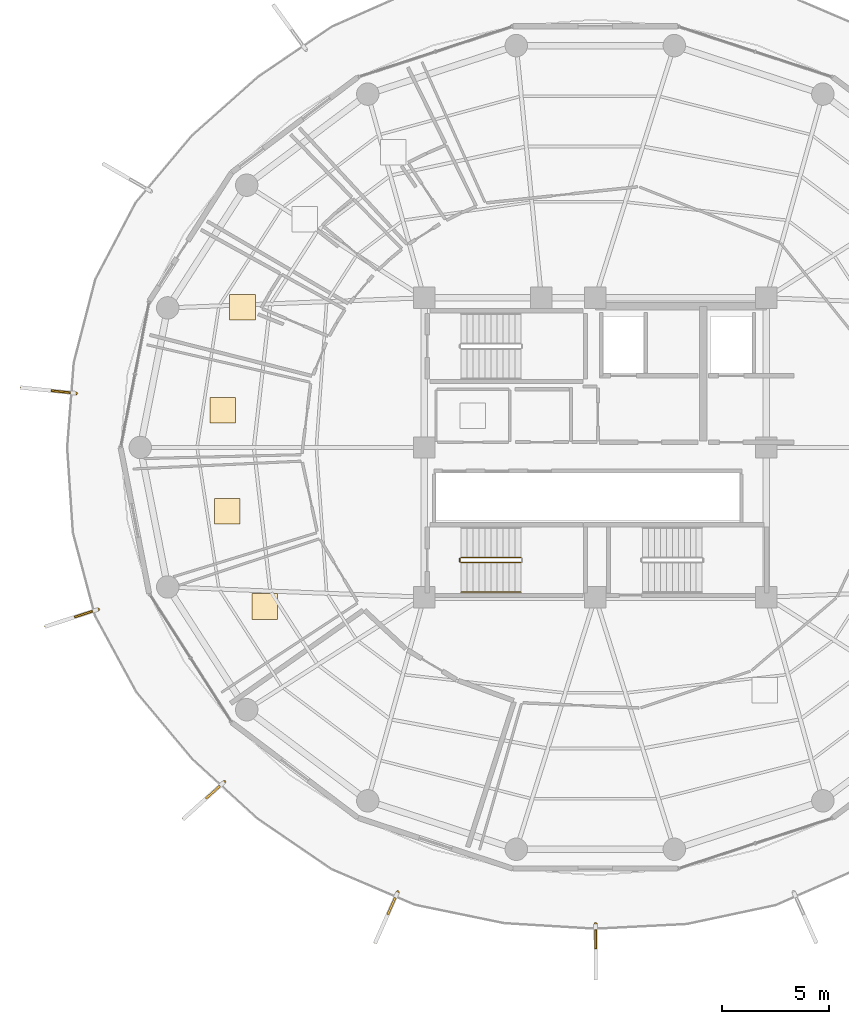
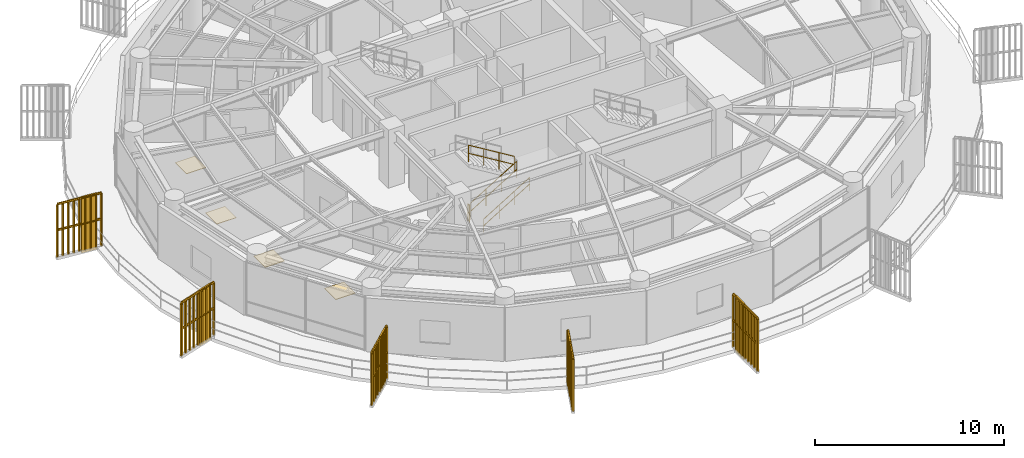
# One storey, part 28 of 31: 9 railings, 5 shading devices, 4 coverings.
"""IFC4 building model written with IfcOpenShell, lengths in metres."""

from ifc_helpers import new_model, si_unit, direction, frame, origin, origin_2d, place, context, subcontext, project, spatial, polyline, rectangle, outline, extrude, source, transform, mapped, material, layer, layer_set, type_object, element, save


model = new_model("IFC4")

# Units and contexts
model_context = context("Model", 3, precision=1e-05, world=origin(), true_north=direction((0.0, 1.0)))
body_context = subcontext(model_context, "Body", "Model", "MODEL_VIEW")
ifc_project = project(units=[si_unit("LENGTHUNIT", "METRE"), si_unit("AREAUNIT", "SQUARE_METRE"), si_unit("VOLUMEUNIT", "CUBIC_METRE"), si_unit("PLANEANGLEUNIT", "RADIAN"), si_unit("MASSUNIT", "GRAM", prefix="KILO")], contexts=[model_context])

# Site, building, storey
site_placement = place(None, origin())
site = spatial("IfcSite", under=ifc_project, at=site_placement, CompositionType="ELEMENT")
building_placement = place(site_placement, origin())
building = spatial("IfcBuilding", under=site, at=building_placement, Name="Kelanora Arch Commons", CompositionType="ELEMENT")
storey_placement = place(building_placement, frame((0.0, 0.0, 226.949951171875)))
storey = spatial("IfcBuildingStorey", under=building, at=storey_placement, Name="L58", CompositionType="ELEMENT", Elevation=226.949951171875)

# Railings
ifc_material_1 = material(Name="Anodised bronze vertical shading fin rib assembly")
railing_type_1 = type_object("IfcRailingType", Name="RAIL-FIN-BRZ", PredefinedType="BALUSTRADE", material=ifc_material_1)
railing_1_placement = place(storey_placement, frame((49.71875, 60.5341796875, -0.02001953125)))
element("IfcRailing", 1, at=railing_1_placement, inside=storey, type_object=railing_type_1, Name="Sweeping Bronze Vertical Fin Blade L58-09", PredefinedType="BALUSTRADE", context=body_context, shape_type="SweptSolid", body=[
    extrude(outline(polyline([(0.06982421875, 0.0), (0.034912109375, 0.060546875), (-0.034912109375, 0.060546875), (-0.06982421875, 0.0), (-0.034912109375, -0.060546875), (0.034912109375, -0.060546875), (0.06982421875, 0.0)])), frame((0.0, 0.0, 3.419921875), z_axis=(-0.994603426469, 0.103749814729, 0.0), x_axis=(-0.103749814729, -0.994603426469, 0.0)), (0.0, 0.0, 1.0), 2.555419921875),
    extrude(outline(polyline([(0.06982421875, 0.0), (0.034912109375, 0.060546875), (-0.034912109375, 0.060546875), (-0.06982421875, 0.0), (-0.034912109375, -0.060546875), (0.034912109375, -0.060546875), (0.06982421875, 0.0)])), frame((0.0, 0.0, 1.7451171875), z_axis=(-0.994603426469, 0.103749814729, 0.0), x_axis=(-0.103749814729, -0.994603426469, 0.0)), (0.0, 0.0, 1.0), 2.555419921875),
    extrude(outline(polyline([(0.080078125, 0.0), (0.0400390625, 0.0693359375), (-0.0400390625, 0.0693359375), (-0.080078125, 0.0), (-0.0400390625, -0.0693359375), (0.0400390625, -0.0693359375), (0.080078125, 0.0)])), origin(), (0.0, 0.0, 1.0), 3.35009765625),
    extrude(outline(polyline([(0.080078125, 0.0), (0.0400390625, 0.0693359375), (-0.0400390625, 0.0693359375), (-0.080078125, 0.0), (-0.0400390625, -0.0693359375), (0.0400390625, -0.0693359375), (0.080078125, 0.0)])), frame((-0.317626953125, 0.033203125, 0.0)), (0.0, 0.0, 1.0), 3.35009765625),
    extrude(outline(polyline([(0.080078125, 0.0), (0.0400390625, 0.0693359375), (-0.0400390625, 0.0693359375), (-0.080078125, 0.0), (-0.0400390625, -0.0693359375), (0.0400390625, -0.0693359375), (0.080078125, 0.0)])), frame((-0.635498046875, 0.06640625, 0.0)), (0.0, 0.0, 1.0), 3.35009765625),
    extrude(outline(polyline([(0.080078125, 0.0), (0.0400390625, 0.0693359375), (-0.0400390625, 0.0693359375), (-0.080078125, 0.0), (-0.0400390625, -0.0693359375), (0.0400390625, -0.0693359375), (0.080078125, 0.0)])), frame((-0.953125, 0.099365234375, 0.0)), (0.0, 0.0, 1.0), 3.35009765625),
    extrude(outline(polyline([(0.080078125, 0.0), (0.0400390625, 0.0693359375), (-0.0400390625, 0.0693359375), (-0.080078125, 0.0), (-0.0400390625, -0.0693359375), (0.0400390625, -0.0693359375), (0.080078125, 0.0)])), frame((-1.27099609375, 0.132568359375, 0.0)), (0.0, 0.0, 1.0), 3.35009765625),
    extrude(outline(polyline([(0.080078125, 0.0), (0.0400390625, 0.0693359375), (-0.0400390625, 0.0693359375), (-0.080078125, 0.0), (-0.0400390625, -0.0693359375), (0.0400390625, -0.0693359375), (0.080078125, 0.0)])), frame((-1.588623046875, 0.165771484375, 0.0)), (0.0, 0.0, 1.0), 3.35009765625),
    extrude(outline(polyline([(0.080078125, 0.0), (0.0400390625, 0.0693359375), (-0.0400390625, 0.0693359375), (-0.080078125, 0.0), (-0.0400390625, -0.0693359375), (0.0400390625, -0.0693359375), (0.080078125, 0.0)])), frame((-1.90625, 0.19873046875, 0.0)), (0.0, 0.0, 1.0), 3.35009765625),
    extrude(outline(polyline([(0.080078125, 0.0), (0.0400390625, 0.0693359375), (-0.0400390625, 0.0693359375), (-0.080078125, 0.0), (-0.0400390625, -0.0693359375), (0.0400390625, -0.0693359375), (0.080078125, 0.0)])), frame((-2.22412109375, 0.23193359375, 0.0)), (0.0, 0.0, 1.0), 3.35009765625),
    extrude(outline(polyline([(0.080078125, 0.0), (0.0400390625, 0.0693359375), (-0.0400390625, 0.0693359375), (-0.080078125, 0.0), (-0.0400390625, -0.0693359375), (0.0400390625, -0.0693359375), (0.080078125, 0.0)])), frame((-2.541748046875, 0.26513671875, 0.0)), (0.0, 0.0, 1.0), 3.35009765625),
])
railing_2_placement = place(storey_placement, frame((50.752685546875, 50.427490234375, -0.02001953125)))
element("IfcRailing", 2, at=railing_2_placement, inside=storey, type_object=railing_type_1, Name="Sweeping Bronze Vertical Fin Blade L58-10", PredefinedType="BALUSTRADE", context=body_context, shape_type="SweptSolid", body=[
    extrude(outline(polyline([(0.06982421875, 0.0), (0.034912109375, 0.060546875), (-0.034912109375, 0.060546875), (-0.06982421875, 0.0), (-0.034912109375, -0.060546875), (0.034912109375, -0.060546875), (0.06982421875, 0.0)])), frame((0.0, 0.0, 3.419921875), z_axis=(-0.950829566252, -0.309714604018, 0.0), x_axis=(0.309714604018, -0.950829566252, 0.0)), (0.0, 0.0, 1.0), 2.5556640625),
    extrude(outline(polyline([(0.06982421875, 0.0), (0.034912109375, 0.060546875), (-0.034912109375, 0.060546875), (-0.06982421875, 0.0), (-0.034912109375, -0.060546875), (0.034912109375, -0.060546875), (0.06982421875, 0.0)])), frame((0.0, 0.0, 1.7451171875), z_axis=(-0.950829566252, -0.309714604018, 0.0), x_axis=(0.309714604018, -0.950829566252, 0.0)), (0.0, 0.0, 1.0), 2.5556640625),
    extrude(outline(polyline([(0.080078125, 0.0), (0.0400390625, 0.0693359375), (-0.0400390625, 0.0693359375), (-0.080078125, 0.0), (-0.0400390625, -0.0693359375), (0.0400390625, -0.0693359375), (0.080078125, 0.0)])), origin(), (0.0, 0.0, 1.0), 3.35009765625),
    extrude(outline(polyline([(0.080078125, 0.0), (0.0400390625, 0.0693359375), (-0.0400390625, 0.0693359375), (-0.080078125, 0.0), (-0.0400390625, -0.0693359375), (0.0400390625, -0.0693359375), (0.080078125, 0.0)])), frame((-0.3037109375, -0.098876953125, 0.0)), (0.0, 0.0, 1.0), 3.35009765625),
    extrude(outline(polyline([(0.080078125, 0.0), (0.0400390625, 0.0693359375), (-0.0400390625, 0.0693359375), (-0.080078125, 0.0), (-0.0400390625, -0.0693359375), (0.0400390625, -0.0693359375), (0.080078125, 0.0)])), frame((-0.607421875, -0.19775390625, 0.0)), (0.0, 0.0, 1.0), 3.35009765625),
    extrude(outline(polyline([(0.080078125, 0.0), (0.0400390625, 0.0693359375), (-0.0400390625, 0.0693359375), (-0.080078125, 0.0), (-0.0400390625, -0.0693359375), (0.0400390625, -0.0693359375), (0.080078125, 0.0)])), frame((-0.9111328125, -0.296875, 0.0)), (0.0, 0.0, 1.0), 3.35009765625),
    extrude(outline(polyline([(0.080078125, 0.0), (0.0400390625, 0.0693359375), (-0.0400390625, 0.0693359375), (-0.080078125, 0.0), (-0.0400390625, -0.0693359375), (0.0400390625, -0.0693359375), (0.080078125, 0.0)])), frame((-1.21484375, -0.395751953125, 0.0)), (0.0, 0.0, 1.0), 3.35009765625),
    extrude(outline(polyline([(0.080078125, 0.0), (0.0400390625, 0.0693359375), (-0.0400390625, 0.0693359375), (-0.080078125, 0.0), (-0.0400390625, -0.0693359375), (0.0400390625, -0.0693359375), (0.080078125, 0.0)])), frame((-1.518798828125, -0.49462890625, 0.0)), (0.0, 0.0, 1.0), 3.35009765625),
    extrude(outline(polyline([(0.080078125, 0.0), (0.0400390625, 0.0693359375), (-0.0400390625, 0.0693359375), (-0.080078125, 0.0), (-0.0400390625, -0.0693359375), (0.0400390625, -0.0693359375), (0.080078125, 0.0)])), frame((-1.822509765625, -0.59375, 0.0)), (0.0, 0.0, 1.0), 3.35009765625),
    extrude(outline(polyline([(0.080078125, 0.0), (0.0400390625, 0.0693359375), (-0.0400390625, 0.0693359375), (-0.080078125, 0.0), (-0.0400390625, -0.0693359375), (0.0400390625, -0.0693359375), (0.080078125, 0.0)])), frame((-2.126220703125, -0.692626953125, 0.0)), (0.0, 0.0, 1.0), 3.35009765625),
    extrude(outline(polyline([(0.080078125, 0.0), (0.0400390625, 0.0693359375), (-0.0400390625, 0.0693359375), (-0.080078125, 0.0), (-0.0400390625, -0.0693359375), (0.0400390625, -0.0693359375), (0.080078125, 0.0)])), frame((-2.429931640625, -0.79150390625, 0.0)), (0.0, 0.0, 1.0), 3.35009765625),
])
railing_3_placement = place(storey_placement, frame((56.654296875, 42.35888671875, -0.02001953125)))
element("IfcRailing", 3, at=railing_3_placement, inside=storey, type_object=railing_type_1, Name="Sweeping Bronze Vertical Fin Blade L58-11", PredefinedType="BALUSTRADE", context=body_context, shape_type="SweptSolid", body=[
    extrude(outline(polyline([(0.06982421875, 0.0), (0.034912109375, 0.060546875), (-0.034912109375, 0.060546875), (-0.06982421875, 0.0), (-0.034912109375, -0.060546875), (0.034912109375, -0.060546875), (0.06982421875, 0.0)])), frame((0.0, 0.0, 3.419921875), z_axis=(-0.742614442544, -0.669719187216, 0.0), x_axis=(0.669719187216, -0.742614442544, 0.0)), (0.0, 0.0, 1.0), 2.555419921875),
    extrude(outline(polyline([(0.06982421875, 0.0), (0.034912109375, 0.060546875), (-0.034912109375, 0.060546875), (-0.06982421875, 0.0), (-0.034912109375, -0.060546875), (0.034912109375, -0.060546875), (0.06982421875, 0.0)])), frame((0.0, 0.0, 1.7451171875), z_axis=(-0.742614442544, -0.669719187216, 0.0), x_axis=(0.669719187216, -0.742614442544, 0.0)), (0.0, 0.0, 1.0), 2.555419921875),
    extrude(outline(polyline([(0.080078125, 0.0), (0.0400390625, 0.0693359375), (-0.0400390625, 0.0693359375), (-0.080078125, 0.0), (-0.0400390625, -0.0693359375), (0.0400390625, -0.0693359375), (0.080078125, 0.0)])), origin(), (0.0, 0.0, 1.0), 3.35009765625),
    extrude(outline(polyline([(0.080078125, 0.0), (0.0400390625, 0.0693359375), (-0.0400390625, 0.0693359375), (-0.080078125, 0.0), (-0.0400390625, -0.0693359375), (0.0400390625, -0.0693359375), (0.080078125, 0.0)])), frame((-0.2373046875, -0.2138671875, 0.0)), (0.0, 0.0, 1.0), 3.35009765625),
    extrude(outline(polyline([(0.080078125, 0.0), (0.0400390625, 0.0693359375), (-0.0400390625, 0.0693359375), (-0.080078125, 0.0), (-0.0400390625, -0.0693359375), (0.0400390625, -0.0693359375), (0.080078125, 0.0)])), frame((-0.474365234375, -0.427734375, 0.0)), (0.0, 0.0, 1.0), 3.35009765625),
    extrude(outline(polyline([(0.080078125, 0.0), (0.0400390625, 0.0693359375), (-0.0400390625, 0.0693359375), (-0.080078125, 0.0), (-0.0400390625, -0.0693359375), (0.0400390625, -0.0693359375), (0.080078125, 0.0)])), frame((-0.711669921875, -0.641845703125, 0.0)), (0.0, 0.0, 1.0), 3.35009765625),
    extrude(outline(polyline([(0.080078125, 0.0), (0.0400390625, 0.0693359375), (-0.0400390625, 0.0693359375), (-0.080078125, 0.0), (-0.0400390625, -0.0693359375), (0.0400390625, -0.0693359375), (0.080078125, 0.0)])), frame((-0.94873046875, -0.855712890625, 0.0)), (0.0, 0.0, 1.0), 3.35009765625),
    extrude(outline(polyline([(0.080078125, 0.0), (0.0400390625, 0.0693359375), (-0.0400390625, 0.0693359375), (-0.080078125, 0.0), (-0.0400390625, -0.0693359375), (0.0400390625, -0.0693359375), (0.080078125, 0.0)])), frame((-1.18603515625, -1.069580078125, 0.0)), (0.0, 0.0, 1.0), 3.35009765625),
    extrude(outline(polyline([(0.080078125, 0.0), (0.0400390625, 0.0693359375), (-0.0400390625, 0.0693359375), (-0.080078125, 0.0), (-0.0400390625, -0.0693359375), (0.0400390625, -0.0693359375), (0.080078125, 0.0)])), frame((-1.42333984375, -1.28369140625, 0.0)), (0.0, 0.0, 1.0), 3.35009765625),
    extrude(outline(polyline([(0.080078125, 0.0), (0.0400390625, 0.0693359375), (-0.0400390625, 0.0693359375), (-0.080078125, 0.0), (-0.0400390625, -0.0693359375), (0.0400390625, -0.0693359375), (0.080078125, 0.0)])), frame((-1.660400390625, -1.49755859375, 0.0)), (0.0, 0.0, 1.0), 3.35009765625),
    extrude(outline(polyline([(0.080078125, 0.0), (0.0400390625, 0.0693359375), (-0.0400390625, 0.0693359375), (-0.080078125, 0.0), (-0.0400390625, -0.0693359375), (0.0400390625, -0.0693359375), (0.080078125, 0.0)])), frame((-1.897705078125, -1.71142578125, 0.0)), (0.0, 0.0, 1.0), 3.35009765625),
])
railing_4_placement = place(storey_placement, frame((64.758544921875, 37.202392578125, -0.02001953125)))
element("IfcRailing", 4, at=railing_4_placement, inside=storey, type_object=railing_type_1, Name="Sweeping Bronze Vertical Fin Blade L58-12", PredefinedType="BALUSTRADE", context=body_context, shape_type="SweptSolid", body=[
    extrude(outline(polyline([(0.06982421875, 0.0), (0.034912109375, 0.060546875), (-0.034912109375, 0.060546875), (-0.06982421875, 0.0), (-0.034912109375, -0.060546875), (0.034912109375, -0.060546875), (0.06982421875, 0.0)])), frame((0.0, 0.0, 3.419921875), z_axis=(-0.40604981773, -0.913850942726, 0.0), x_axis=(0.913850942726, -0.40604981773, 0.0)), (0.0, 0.0, 1.0), 2.555419921875),
    extrude(outline(polyline([(0.06982421875, 0.0), (0.034912109375, 0.060546875), (-0.034912109375, 0.060546875), (-0.06982421875, 0.0), (-0.034912109375, -0.060546875), (0.034912109375, -0.060546875), (0.06982421875, 0.0)])), frame((0.0, 0.0, 1.7451171875), z_axis=(-0.40604981773, -0.913850942726, 0.0), x_axis=(0.913850942726, -0.40604981773, 0.0)), (0.0, 0.0, 1.0), 2.555419921875),
    extrude(outline(polyline([(0.080078125, 0.0), (0.0400390625, 0.0693359375), (-0.0400390625, 0.0693359375), (-0.080078125, 0.0), (-0.0400390625, -0.0693359375), (0.0400390625, -0.0693359375), (0.080078125, 0.0)])), origin(), (0.0, 0.0, 1.0), 3.35009765625),
    extrude(outline(polyline([(0.080078125, 0.0), (0.0400390625, 0.0693359375), (-0.0400390625, 0.0693359375), (-0.080078125, 0.0), (-0.0400390625, -0.0693359375), (0.0400390625, -0.0693359375), (0.080078125, 0.0)])), frame((-0.129638671875, -0.2919921875, 0.0)), (0.0, 0.0, 1.0), 3.35009765625),
    extrude(outline(polyline([(0.080078125, 0.0), (0.0400390625, 0.0693359375), (-0.0400390625, 0.0693359375), (-0.080078125, 0.0), (-0.0400390625, -0.0693359375), (0.0400390625, -0.0693359375), (0.080078125, 0.0)])), frame((-0.25927734375, -0.583740234375, 0.0)), (0.0, 0.0, 1.0), 3.35009765625),
    extrude(outline(polyline([(0.080078125, 0.0), (0.0400390625, 0.0693359375), (-0.0400390625, 0.0693359375), (-0.080078125, 0.0), (-0.0400390625, -0.0693359375), (0.0400390625, -0.0693359375), (0.080078125, 0.0)])), frame((-0.38916015625, -0.875732421875, 0.0)), (0.0, 0.0, 1.0), 3.35009765625),
    extrude(outline(polyline([(0.080078125, 0.0), (0.0400390625, 0.0693359375), (-0.0400390625, 0.0693359375), (-0.080078125, 0.0), (-0.0400390625, -0.0693359375), (0.0400390625, -0.0693359375), (0.080078125, 0.0)])), frame((-0.518798828125, -1.16748046875, 0.0)), (0.0, 0.0, 1.0), 3.35009765625),
    extrude(outline(polyline([(0.080078125, 0.0), (0.0400390625, 0.0693359375), (-0.0400390625, 0.0693359375), (-0.080078125, 0.0), (-0.0400390625, -0.0693359375), (0.0400390625, -0.0693359375), (0.080078125, 0.0)])), frame((-0.6484375, -1.45947265625, 0.0)), (0.0, 0.0, 1.0), 3.35009765625),
    extrude(outline(polyline([(0.080078125, 0.0), (0.0400390625, 0.0693359375), (-0.0400390625, 0.0693359375), (-0.080078125, 0.0), (-0.0400390625, -0.0693359375), (0.0400390625, -0.0693359375), (0.080078125, 0.0)])), frame((-0.7783203125, -1.75146484375, 0.0)), (0.0, 0.0, 1.0), 3.35009765625),
    extrude(outline(polyline([(0.080078125, 0.0), (0.0400390625, 0.0693359375), (-0.0400390625, 0.0693359375), (-0.080078125, 0.0), (-0.0400390625, -0.0693359375), (0.0400390625, -0.0693359375), (0.080078125, 0.0)])), frame((-0.907958984375, -2.043212890625, 0.0)), (0.0, 0.0, 1.0), 3.35009765625),
    extrude(outline(polyline([(0.080078125, 0.0), (0.0400390625, 0.0693359375), (-0.0400390625, 0.0693359375), (-0.080078125, 0.0), (-0.0400390625, -0.0693359375), (0.0400390625, -0.0693359375), (0.080078125, 0.0)])), frame((-1.03759765625, -2.335205078125, 0.0)), (0.0, 0.0, 1.0), 3.35009765625),
])
railing_5_placement = place(storey_placement, frame((74.016357421875, 35.721923828125, -0.02001953125)))
element("IfcRailing", 5, at=railing_5_placement, inside=storey, type_object=railing_type_1, Name="Sweeping Bronze Vertical Fin Blade L58-13", PredefinedType="BALUSTRADE", context=body_context, shape_type="SweptSolid", body=[
    extrude(outline(polyline([(0.06982421875, 0.0), (0.034912109375, 0.060546875), (-0.034912109375, 0.060546875), (-0.06982421875, 0.0), (-0.034912109375, -0.060546875), (0.034912109375, -0.060546875), (0.06982421875, 0.0)])), frame((0.0, 0.0, 3.419921875), z_axis=(0.000764306646, -0.999999707918, 0.0), x_axis=(0.999999707918, 0.000764306646, 0.0)), (0.0, 0.0, 1.0), 2.555419921875),
    extrude(outline(polyline([(0.06982421875, 0.0), (0.034912109375, 0.060546875), (-0.034912109375, 0.060546875), (-0.06982421875, 0.0), (-0.034912109375, -0.060546875), (0.034912109375, -0.060546875), (0.06982421875, 0.0)])), frame((0.0, 0.0, 1.7451171875), z_axis=(0.000764306646, -0.999999707918, 0.0), x_axis=(0.999999707918, 0.000764306646, 0.0)), (0.0, 0.0, 1.0), 2.555419921875),
    extrude(outline(polyline([(0.080078125, 0.0), (0.0400390625, 0.0693359375), (-0.0400390625, 0.0693359375), (-0.080078125, 0.0), (-0.0400390625, -0.0693359375), (0.0400390625, -0.0693359375), (0.080078125, 0.0)])), origin(), (0.0, 0.0, 1.0), 3.35009765625),
    extrude(outline(polyline([(0.080078125, 0.0), (0.0400390625, 0.0693359375), (-0.0400390625, 0.0693359375), (-0.080078125, 0.0), (-0.0400390625, -0.0693359375), (0.0400390625, -0.0693359375), (0.080078125, 0.0)])), frame((0.000244140625, -0.3193359375, 0.0)), (0.0, 0.0, 1.0), 3.35009765625),
    extrude(outline(polyline([(0.080078125, 0.0), (0.0400390625, 0.0693359375), (-0.0400390625, 0.0693359375), (-0.080078125, 0.0), (-0.0400390625, -0.0693359375), (0.0400390625, -0.0693359375), (0.080078125, 0.0)])), frame((0.00048828125, -0.638916015625, 0.0)), (0.0, 0.0, 1.0), 3.35009765625),
    extrude(outline(polyline([(0.080078125, 0.0), (0.0400390625, 0.0693359375), (-0.0400390625, 0.0693359375), (-0.080078125, 0.0), (-0.0400390625, -0.0693359375), (0.0400390625, -0.0693359375), (0.080078125, 0.0)])), frame((0.000732421875, -0.958251953125, 0.0)), (0.0, 0.0, 1.0), 3.35009765625),
    extrude(outline(polyline([(0.080078125, 0.0), (0.0400390625, 0.0693359375), (-0.0400390625, 0.0693359375), (-0.080078125, 0.0), (-0.0400390625, -0.0693359375), (0.0400390625, -0.0693359375), (0.080078125, 0.0)])), frame((0.0009765625, -1.27783203125, 0.0)), (0.0, 0.0, 1.0), 3.35009765625),
    extrude(outline(polyline([(0.080078125, 0.0), (0.0400390625, 0.0693359375), (-0.0400390625, 0.0693359375), (-0.080078125, 0.0), (-0.0400390625, -0.0693359375), (0.0400390625, -0.0693359375), (0.080078125, 0.0)])), frame((0.001220703125, -1.59716796875, 0.0)), (0.0, 0.0, 1.0), 3.35009765625),
    extrude(outline(polyline([(0.080078125, 0.0), (0.0400390625, 0.0693359375), (-0.0400390625, 0.0693359375), (-0.080078125, 0.0), (-0.0400390625, -0.0693359375), (0.0400390625, -0.0693359375), (0.080078125, 0.0)])), frame((0.00146484375, -1.91650390625, 0.0)), (0.0, 0.0, 1.0), 3.35009765625),
    extrude(outline(polyline([(0.080078125, 0.0), (0.0400390625, 0.0693359375), (-0.0400390625, 0.0693359375), (-0.080078125, 0.0), (-0.0400390625, -0.0693359375), (0.0400390625, -0.0693359375), (0.080078125, 0.0)])), frame((0.001708984375, -2.236083984375, 0.0)), (0.0, 0.0, 1.0), 3.35009765625),
    extrude(outline(polyline([(0.080078125, 0.0), (0.0400390625, 0.0693359375), (-0.0400390625, 0.0693359375), (-0.080078125, 0.0), (-0.0400390625, -0.0693359375), (0.0400390625, -0.0693359375), (0.080078125, 0.0)])), frame((0.001953125, -2.555419921875, 0.0)), (0.0, 0.0, 1.0), 3.35009765625),
])
ifc_material_2 = material(Name="Painted steel stair well guard", Category="steel")
railing_type_2 = type_object("IfcRailingType", Name="RAIL-STAIR-GRD", PredefinedType="GUARDRAIL", material=ifc_material_2)
railing_6_placement = place(storey_placement, frame((67.719970703125, 52.610107421875, 0.17041015625)))
element("IfcRailing", 6, at=railing_6_placement, inside=storey, type_object=railing_type_2, Name="L58 ST-T3 stair guard 1", PredefinedType="GUARDRAIL", context=body_context, shape_type="SweptSolid", body=[
    extrude(outline(polyline([(0.02392578125, 0.0), (0.011962890625, 0.020751953125), (-0.011962890625, 0.020751953125), (-0.02392578125, 0.0), (-0.011962890625, -0.020751953125), (0.011962890625, -0.020751953125), (0.02392578125, 0.0)])), frame((0.0, 0.0, 1.076171875), z_axis=(0.854169791009, 0.0, 0.51999420009), x_axis=(0.0, 1.0, 0.0)), (0.0, 0.0, 1.0), 3.278076171875),
    extrude(outline(polyline([(0.02392578125, 0.0), (0.011962890625, 0.020751953125), (-0.011962890625, 0.020751953125), (-0.02392578125, 0.0), (-0.011962890625, -0.020751953125), (0.011962890625, -0.020751953125), (0.02392578125, 0.0)])), frame((0.0, 0.0, 0.550048828125), z_axis=(0.854169791009, 0.0, 0.51999420009), x_axis=(0.0, 1.0, 0.0)), (0.0, 0.0, 1.0), 3.278076171875),
    extrude(outline(polyline([(0.02099609375, 0.0), (0.010498046875, 0.01806640625), (-0.010498046875, 0.01806640625), (-0.02099609375, 0.0), (-0.010498046875, -0.01806640625), (0.010498046875, -0.01806640625), (0.02099609375, 0.0)])), origin(), (0.0, 0.0, 1.0), 1.052001953125),
    extrude(outline(polyline([(0.02099609375, 0.0), (0.010498046875, 0.01806640625), (-0.010498046875, 0.01806640625), (-0.02099609375, 0.0), (-0.010498046875, -0.01806640625), (0.010498046875, -0.01806640625), (0.02099609375, 0.0)])), frame((0.933349609375, 0.0, 0.568115234375)), (0.0, 0.0, 1.0), 1.052001953125),
    extrude(outline(polyline([(0.02099609375, 0.0), (0.010498046875, 0.01806640625), (-0.010498046875, 0.01806640625), (-0.02099609375, 0.0), (-0.010498046875, -0.01806640625), (0.010498046875, -0.01806640625), (0.02099609375, 0.0)])), frame((1.86669921875, 0.0, 1.136474609375)), (0.0, 0.0, 1.0), 1.052001953125),
    extrude(outline(polyline([(0.02099609375, 0.0), (0.010498046875, 0.01806640625), (-0.010498046875, 0.01806640625), (-0.02099609375, 0.0), (-0.010498046875, -0.01806640625), (0.010498046875, -0.01806640625), (0.02099609375, 0.0)])), frame((2.800048828125, 0.0, 1.70458984375)), (0.0, 0.0, 1.0), 1.052001953125),
])
railing_7_placement = place(storey_placement, frame((70.52001953125, 52.860107421875, 2.04541015625)))
element("IfcRailing", 7, at=railing_7_placement, inside=storey, type_object=railing_type_2, Name="L58 ST-T3 stair guard 3", PredefinedType="GUARDRAIL", context=body_context, shape_type="SweptSolid", body=[
    extrude(outline(polyline([(0.02392578125, 0.0), (0.011962890625, 0.020751953125), (-0.011962890625, 0.020751953125), (-0.02392578125, 0.0), (-0.011962890625, -0.020751953125), (0.011962890625, -0.020751953125), (0.02392578125, 0.0)])), frame((0.0, 0.0, 1.076171875), z_axis=(-0.854169791009, 0.0, 0.51999420009), x_axis=(0.0, -1.0, 0.0)), (0.0, 0.0, 1.0), 3.278076171875),
    extrude(outline(polyline([(0.02392578125, 0.0), (0.011962890625, 0.020751953125), (-0.011962890625, 0.020751953125), (-0.02392578125, 0.0), (-0.011962890625, -0.020751953125), (0.011962890625, -0.020751953125), (0.02392578125, 0.0)])), frame((0.0, 0.0, 0.550048828125), z_axis=(-0.854169791009, 0.0, 0.51999420009), x_axis=(0.0, -1.0, 0.0)), (0.0, 0.0, 1.0), 3.278076171875),
    extrude(outline(polyline([(0.02099609375, 0.0), (0.010498046875, 0.01806640625), (-0.010498046875, 0.01806640625), (-0.02099609375, 0.0), (-0.010498046875, -0.01806640625), (0.010498046875, -0.01806640625), (0.02099609375, 0.0)])), origin(), (0.0, 0.0, 1.0), 1.052001953125),
    extrude(outline(polyline([(0.02099609375, 0.0), (0.010498046875, 0.01806640625), (-0.010498046875, 0.01806640625), (-0.02099609375, 0.0), (-0.010498046875, -0.01806640625), (0.010498046875, -0.01806640625), (0.02099609375, 0.0)])), frame((-0.933349609375, 0.0, 0.568115234375)), (0.0, 0.0, 1.0), 1.052001953125),
    extrude(outline(polyline([(0.02099609375, 0.0), (0.010498046875, 0.01806640625), (-0.010498046875, 0.01806640625), (-0.02099609375, 0.0), (-0.010498046875, -0.01806640625), (0.010498046875, -0.01806640625), (0.02099609375, 0.0)])), frame((-1.86669921875, 0.0, 1.136474609375)), (0.0, 0.0, 1.0), 1.052001953125),
    extrude(outline(polyline([(0.02099609375, 0.0), (0.010498046875, 0.01806640625), (-0.010498046875, 0.01806640625), (-0.02099609375, 0.0), (-0.010498046875, -0.01806640625), (0.010498046875, -0.01806640625), (0.02099609375, 0.0)])), frame((-2.800048828125, 0.0, 1.70458984375)), (0.0, 0.0, 1.0), 1.052001953125),
])
railing_8_placement = place(storey_placement, frame((67.669921875, 52.659912109375, 0.0)))
element("IfcRailing", 8, at=railing_8_placement, inside=storey, type_object=railing_type_2, Name="L58 ST-T3 stair guard 4", PredefinedType="GUARDRAIL", context=body_context, shape_type="SweptSolid", body=[
    extrude(outline(polyline([(0.02392578125, 0.0), (0.011962890625, 0.020751953125), (-0.011962890625, 0.020751953125), (-0.02392578125, 0.0), (-0.011962890625, -0.020751953125), (0.011962890625, -0.020751953125), (0.02392578125, 0.0)])), frame((0.0, 0.0, 1.076171875), z_axis=(0.0, 1.0, 0.0), x_axis=(-1.0, 0.0, 0.0)), (0.0, 0.0, 1.0), 0.150146484375),
    extrude(outline(polyline([(0.02392578125, 0.0), (0.011962890625, 0.020751953125), (-0.011962890625, 0.020751953125), (-0.02392578125, 0.0), (-0.011962890625, -0.020751953125), (0.011962890625, -0.020751953125), (0.02392578125, 0.0)])), frame((0.0, 0.0, 0.550048828125), z_axis=(0.0, 1.0, 0.0), x_axis=(-1.0, 0.0, 0.0)), (0.0, 0.0, 1.0), 0.150146484375),
    extrude(outline(polyline([(0.02099609375, 0.0), (0.010498046875, 0.01806640625), (-0.010498046875, 0.01806640625), (-0.02099609375, 0.0), (-0.010498046875, -0.01806640625), (0.010498046875, -0.01806640625), (0.02099609375, 0.0)])), origin(), (0.0, 0.0, 1.0), 1.052001953125),
    extrude(outline(polyline([(0.02099609375, 0.0), (0.010498046875, 0.01806640625), (-0.010498046875, 0.01806640625), (-0.02099609375, 0.0), (-0.010498046875, -0.01806640625), (0.010498046875, -0.01806640625), (0.02099609375, 0.0)])), frame((0.0, 0.150146484375, 0.0)), (0.0, 0.0, 1.0), 1.052001953125),
])
ifc_material_3 = material(Name="Brushed stainless steel stair handrail", Category="steel")
railing_type_3 = type_object("IfcRailingType", Name="RAIL-STAIR-HND", PredefinedType="HANDRAIL", material=ifc_material_3)
railing_9_placement = place(storey_placement, frame((67.719970703125, 51.22998046875, 0.17041015625)))
element("IfcRailing", 9, at=railing_9_placement, inside=storey, type_object=railing_type_3, Name="L58 ST-T3 stair handrail 1", PredefinedType="HANDRAIL", context=body_context, shape_type="SweptSolid", body=[
    extrude(outline(polyline([(0.02392578125, 0.0), (0.011962890625, 0.020751953125), (-0.011962890625, 0.020751953125), (-0.02392578125, 0.0), (-0.011962890625, -0.020751953125), (0.011962890625, -0.020751953125), (0.02392578125, 0.0)])), frame((0.0, 0.0, 0.8759765625), z_axis=(0.854169791009, 0.0, 0.51999420009), x_axis=(0.0, 1.0, 0.0)), (0.0, 0.0, 1.0), 3.278076171875),
    extrude(outline(polyline([(0.02392578125, 0.0), (0.011962890625, 0.020751953125), (-0.011962890625, 0.020751953125), (-0.02392578125, 0.0), (-0.011962890625, -0.020751953125), (0.011962890625, -0.020751953125), (0.02392578125, 0.0)])), frame((0.0, 0.0, 0.449951171875), z_axis=(0.854169791009, 0.0, 0.51999420009), x_axis=(0.0, 1.0, 0.0)), (0.0, 0.0, 1.0), 3.278076171875),
    extrude(outline(polyline([(0.02099609375, 0.0), (0.010498046875, 0.01806640625), (-0.010498046875, 0.01806640625), (-0.02099609375, 0.0), (-0.010498046875, -0.01806640625), (0.010498046875, -0.01806640625), (0.02099609375, 0.0)])), origin(), (0.0, 0.0, 1.0), 0.851806640625),
    extrude(outline(polyline([(0.02099609375, 0.0), (0.010498046875, 0.01806640625), (-0.010498046875, 0.01806640625), (-0.02099609375, 0.0), (-0.010498046875, -0.01806640625), (0.010498046875, -0.01806640625), (0.02099609375, 0.0)])), frame((0.933349609375, 0.0, 0.568115234375)), (0.0, 0.0, 1.0), 0.851806640625),
    extrude(outline(polyline([(0.02099609375, 0.0), (0.010498046875, 0.01806640625), (-0.010498046875, 0.01806640625), (-0.02099609375, 0.0), (-0.010498046875, -0.01806640625), (0.010498046875, -0.01806640625), (0.02099609375, 0.0)])), frame((1.86669921875, 0.0, 1.136474609375)), (0.0, 0.0, 1.0), 0.851806640625),
    extrude(outline(polyline([(0.02099609375, 0.0), (0.010498046875, 0.01806640625), (-0.010498046875, 0.01806640625), (-0.02099609375, 0.0), (-0.010498046875, -0.01806640625), (0.010498046875, -0.01806640625), (0.02099609375, 0.0)])), frame((2.800048828125, 0.0, 1.70458984375)), (0.0, 0.0, 1.0), 0.851806640625),
])

# Shading devices
ifc_material_4 = material(Name="Terracotta ceramic-clad extruded aluminium fin", Category="masonry")
shading_device_type = type_object("IfcShadingDeviceType", Name="SHD-FIN-FLARE", PredefinedType="USERDEFINED", material=ifc_material_4)
shared_shape_1 = source(origin(), body_context, "Body", "SweptSolid", [
    extrude(rectangle(XDim=0.8798828125, YDim=0.090087890625, at=origin_2d()), origin(), (0.0, 0.0, 1.0), 3.610107421875),
])
for number, where, z_axis, x_axis, name in (
    (10, (49.002685546875, 60.60888671875, -0.14013671875), (0.0, 0.0, 1.0), (-0.994594627637, 0.103834130589, 0.0), "Sweeping Terracotta Fin L58-09"),
    (11, (50.068115234375, 50.20458984375, -0.14013671875), (0.0, 0.0, 1.0), (-0.950840549986, -0.309680881719, 0.0), "Sweeping Terracotta Fin L58-10"),
    (12, (56.11962890625, 41.876708984375, -0.14013671875), (0.0, 0.0, 1.0), (-0.742677503127, -0.669649256215, 0.0), "Sweeping Terracotta Fin L58-11"),
    (13, (64.46630859375, 36.54443359375, -0.14013671875), (0.0, 0.0, 1.0), (-0.406098768964, -0.913829190738, 0.0), "Sweeping Terracotta Fin L58-12"),
    (14, (74.016845703125, 35.001953125, -0.14013671875), (0.0, 0.0, 1.0), (0.000698131644, -0.999999756306, 0.0), "Sweeping Terracotta Fin L58-13"),
):
    element("IfcShadingDevice", number, at=place(storey_placement, frame(where, z_axis=z_axis, x_axis=x_axis)), inside=storey, type_object=shading_device_type, Name=name, ObjectType="FIN", PredefinedType="USERDEFINED", context=body_context, shape_type="MappedRepresentation", body=[
        mapped(shared_shape_1, transform((0.0, 0.0, 0.0), scale=1.0)),
    ])

# Coverings
ifc_material_5 = material(Name="Polished local granite terrazzo flooring", Category="masonry")
ifc_layer = layer(ifc_material_5, 0.030029296875)
ifc_layer_set = layer_set([ifc_layer], Name="Polished local granite terrazzo flooring")
covering_type = type_object("IfcCoveringType", Name="COV-FLR-TER", PredefinedType="FLOORING", material=ifc_layer_set)
shared_shape_2 = source(origin(), body_context, "Body", "SweptSolid", [
    extrude(rectangle(XDim=1.199951171875, YDim=1.199951171875, at=origin_2d()), origin(), (0.0, 0.0, 1.0), 0.030029296875),
])
for number, where, z_axis, x_axis, name in (
    (15, (57.498291015625, 64.56298828125, 0.0), (0.0, 0.0, 1.0), (1.0, 0.0, 0.0), "Cluster Bedroom L58-03 Terrazzo Finish"),
    (16, (56.572509765625, 59.74658203125, 0.0), (0.0, 0.0, 1.0), (1.0, 0.0, 0.0), "Shared Cluster Kitchen L58-04 Terrazzo Finish"),
    (17, (56.78076171875, 55.021484375, 0.0), (0.0, 0.0, 1.0), (1.0, 0.0, 0.0), "Social Sky Lounge L58-05 Terrazzo Finish"),
    (18, (58.541015625, 50.56396484375, 0.0), (0.0, 0.0, 1.0), (1.0, 0.0, 0.0), "Quiet Seminar Study Room L58-06 Terrazzo Finish"),
):
    element("IfcCovering", number, at=place(storey_placement, frame(where, z_axis=z_axis, x_axis=x_axis)), inside=storey, type_object=covering_type, Name=name, PredefinedType="FLOORING", context=body_context, shape_type="MappedRepresentation", body=[
        mapped(shared_shape_2, transform((0.0, 0.0, 0.0), scale=1.0)),
    ])

save(model, "model.ifc")
